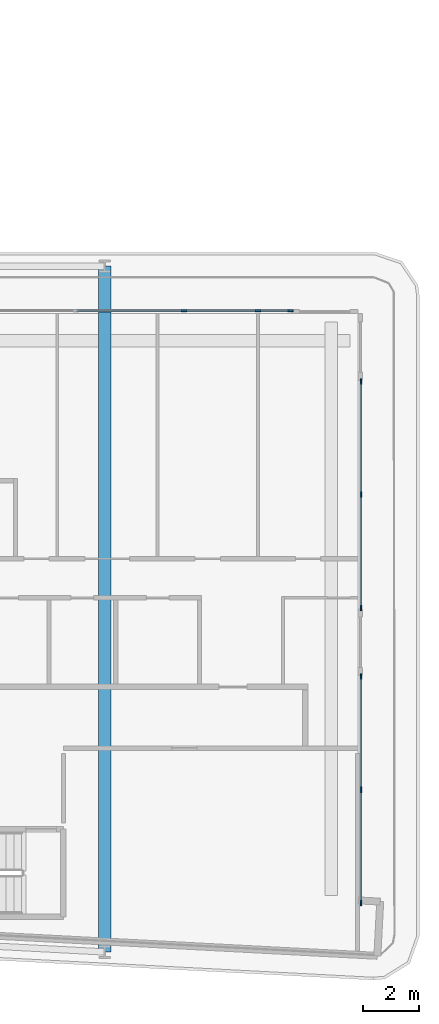
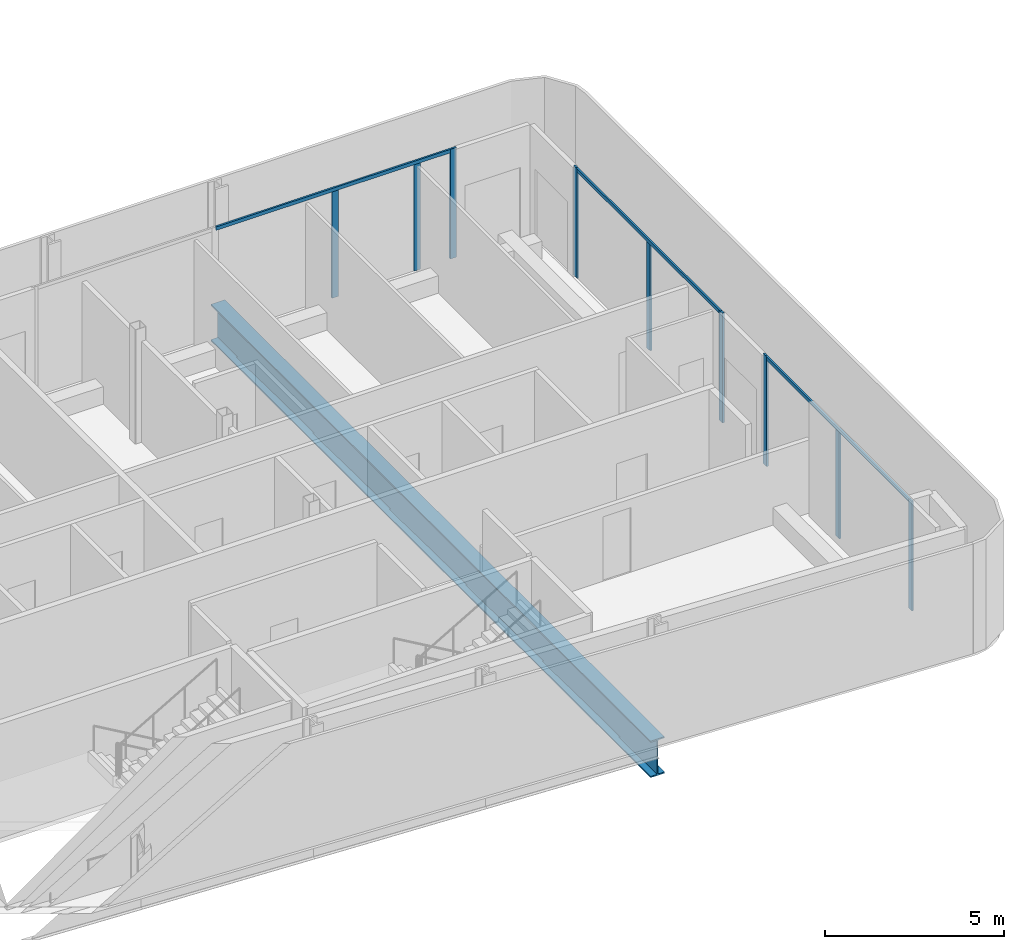
# One storey, part 8 of 29: 12 members, 1 beam, 3 elements without a shape of their own.
"""IFC4 building model written with IfcOpenShell, lengths in metres."""

from ifc_helpers import new_model, si_unit, direction, frame, origin, origin_2d, place, context, subcontext, project, spatial, rectangle, i_section, extrude, material, layer, layer_set, material_profile, profile_set, type_object, element, aggregate, save


model = new_model("IFC4")

# Units and contexts
model_context = context("Model", 3, precision=1e-05, world=origin(), true_north=direction((0.0, 1.0)))
body_context = subcontext(model_context, "Body", "Model", "MODEL_VIEW")
ifc_project = project(units=[si_unit("LENGTHUNIT", "METRE"), si_unit("AREAUNIT", "SQUARE_METRE"), si_unit("VOLUMEUNIT", "CUBIC_METRE"), si_unit("PLANEANGLEUNIT", "RADIAN"), si_unit("MASSUNIT", "GRAM", prefix="KILO")], contexts=[model_context])

# Site, building, storey
site_placement = place(None, origin())
site = spatial("IfcSite", under=ifc_project, at=site_placement, CompositionType="ELEMENT")
building_placement = place(site_placement, origin())
building = spatial("IfcBuilding", under=site, at=building_placement, Name="Kheshtan School and Residences Tower", CompositionType="ELEMENT")
storey_placement = place(building_placement, frame((0.0, 0.0, 121.39990234375)))
storey = spatial("IfcBuildingStorey", under=building, at=storey_placement, Name="L28", CompositionType="ELEMENT", Elevation=121.39990234375)

# Curtain wall, members
ifc_material_1 = material(Name="Clear low-e glass in thermally broken aluminium frame", Category="aluminium")
ifc_layer = layer(ifc_material_1, 0.199951171875)
ifc_layer_set = layer_set([ifc_layer], Name="Curtain wall CW-L")
curtain_wall_type = type_object("IfcCurtainWallType", Name="Curtain wall CW-L", PredefinedType="NOTDEFINED", material=ifc_layer_set)
curtain_wall_1_placement = place(storey_placement, origin())
curtain_wall_1 = element("IfcCurtainWall", 1, at=curtain_wall_1_placement, inside=storey, type_object=curtain_wall_type, Name="Curtain wall CWL12k", PredefinedType="NOTDEFINED")
ifc_material_2 = material(Name="Thermally broken aluminium, dark bronze anodised", Category="aluminium")
ifc_material_profile_1 = material_profile(ifc_material_2, rectangle(XDim=0.06005859375, YDim=0.199951171875, at=origin_2d()), Name="CW-L mullion 60x200")
ifc_profile_set_1 = profile_set([ifc_material_profile_1], Name="Thermally broken aluminium, dark bronze anodised")
member_type_1 = type_object("IfcMemberType", Name="CW-L mullion 60x200", PredefinedType="MULLION", material=ifc_profile_set_1)
member_1_placement = place(storey_placement, frame((93.653076171875, 44.0, 0.0), z_axis=(0.0, 0.0, 1.0), x_axis=(0.0, 1.0, 0.0)))
member_1 = element("IfcMember", 2, at=member_1_placement, type_object=member_type_1, Name="CWL12k mullion 2", PredefinedType="MULLION", context=body_context, shape_type="SweptSolid", body=[
    extrude(rectangle(XDim=0.06005859375, YDim=0.199951171875, at=origin_2d()), origin(), (0.0, 0.0, 1.0), 3.630126953125),
])
member_2_placement = place(storey_placement, frame((96.300048828125, 44.0, 0.0), z_axis=(0.0, 0.0, 1.0), x_axis=(0.0, 1.0, 0.0)))
member_2 = element("IfcMember", 3, at=member_2_placement, type_object=member_type_1, Name="CWL12k mullion 3", PredefinedType="MULLION", context=body_context, shape_type="SweptSolid", body=[
    extrude(rectangle(XDim=0.06005859375, YDim=0.199951171875, at=origin_2d()), origin(), (0.0, 0.0, 1.0), 3.630126953125),
])
member_3_placement = place(storey_placement, frame((97.469970703125, 44.0, 0.0), z_axis=(0.0, 0.0, 1.0), x_axis=(0.0, 1.0, 0.0)))
member_3 = element("IfcMember", 4, at=member_3_placement, type_object=member_type_1, Name="CWL12k mullion 4", PredefinedType="MULLION", context=body_context, shape_type="SweptSolid", body=[
    extrude(rectangle(XDim=0.06005859375, YDim=0.199951171875, at=origin_2d()), origin(), (0.0, 0.0, 1.0), 3.75),
])

curtain_wall_2_placement = place(storey_placement, origin())
curtain_wall_2 = element("IfcCurtainWall", 5, at=curtain_wall_2_placement, inside=storey, type_object=curtain_wall_type, Name="Curtain wall CWL13b", PredefinedType="NOTDEFINED")
member_4_placement = place(storey_placement, frame((100.0, 41.469970703125, 0.0), z_axis=(0.0, 0.0, 1.0), x_axis=(1.0, 0.0, 0.0)))
member_4 = element("IfcMember", 6, at=member_4_placement, type_object=member_type_1, Name="CWL13b mullion 1", PredefinedType="MULLION", context=body_context, shape_type="SweptSolid", body=[
    extrude(rectangle(XDim=0.06005859375, YDim=0.199951171875, at=origin_2d()), origin(), (0.0, 0.0, 1.0), 3.75),
])
member_5_placement = place(storey_placement, frame((100.0, 37.403564453125, 0.0), z_axis=(0.0, 0.0, 1.0), x_axis=(1.0, 0.0, 0.0)))
member_5 = element("IfcMember", 7, at=member_5_placement, type_object=member_type_1, Name="CWL13b mullion 2", PredefinedType="MULLION", context=body_context, shape_type="SweptSolid", body=[
    extrude(rectangle(XDim=0.06005859375, YDim=0.199951171875, at=origin_2d()), origin(), (0.0, 0.0, 1.0), 3.630126953125),
])
member_6_placement = place(storey_placement, frame((100.0, 33.3369140625, 0.0), z_axis=(0.0, 0.0, 1.0), x_axis=(1.0, 0.0, 0.0)))
member_6 = element("IfcMember", 8, at=member_6_placement, type_object=member_type_1, Name="CWL13b mullion 3", PredefinedType="MULLION", context=body_context, shape_type="SweptSolid", body=[
    extrude(rectangle(XDim=0.06005859375, YDim=0.199951171875, at=origin_2d()), origin(), (0.0, 0.0, 1.0), 3.75),
])

curtain_wall_3_placement = place(storey_placement, origin())
curtain_wall_3 = element("IfcCurtainWall", 9, at=curtain_wall_3_placement, inside=storey, type_object=curtain_wall_type, Name="Curtain wall CWL13b", PredefinedType="NOTDEFINED")
member_7_placement = place(storey_placement, frame((100.0, 30.876953125, 0.0), z_axis=(0.0, 0.0, 1.0), x_axis=(1.0, 0.0, 0.0)))
member_7 = element("IfcMember", 10, at=member_7_placement, type_object=member_type_1, Name="CWL13b mullion 1", PredefinedType="MULLION", context=body_context, shape_type="SweptSolid", body=[
    extrude(rectangle(XDim=0.06005859375, YDim=0.199951171875, at=origin_2d()), origin(), (0.0, 0.0, 1.0), 3.75),
])
member_8_placement = place(storey_placement, frame((100.0, 26.810546875, 0.0), z_axis=(0.0, 0.0, 1.0), x_axis=(1.0, 0.0, 0.0)))
member_8 = element("IfcMember", 11, at=member_8_placement, type_object=member_type_1, Name="CWL13b mullion 2", PredefinedType="MULLION", context=body_context, shape_type="SweptSolid", body=[
    extrude(rectangle(XDim=0.06005859375, YDim=0.199951171875, at=origin_2d()), origin(), (0.0, 0.0, 1.0), 3.630126953125),
])
member_9_placement = place(storey_placement, frame((100.0, 22.743896484375, 0.0), z_axis=(0.0, 0.0, 1.0), x_axis=(1.0, 0.0, 0.0)))
member_9 = element("IfcMember", 12, at=member_9_placement, type_object=member_type_1, Name="CWL13b mullion 3", PredefinedType="MULLION", context=body_context, shape_type="SweptSolid", body=[
    extrude(rectangle(XDim=0.06005859375, YDim=0.199951171875, at=origin_2d()), origin(), (0.0, 0.0, 1.0), 3.75),
])

# Member
ifc_material_profile_2 = material_profile(ifc_material_2, rectangle(XDim=0.06005859375, YDim=0.1201171875, at=origin_2d()), Name="CW-L transom 60x120")
ifc_profile_set_2 = profile_set([ifc_material_profile_2], Name="Thermally broken aluminium, dark bronze anodised")
member_type_2 = type_object("IfcMemberType", Name="CW-L transom 60x120", PredefinedType="USERDEFINED", material=ifc_profile_set_2)
member_10_placement = place(storey_placement, frame((89.805908203125, 44.0, 3.690185546875), z_axis=(1.0, 0.0, 0.0), x_axis=(0.0, 1.0, 0.0)))
member_10 = element("IfcMember", 13, at=member_10_placement, type_object=member_type_2, Name="CWL12k transom 1", ObjectType="TRANSOM", PredefinedType="USERDEFINED", context=body_context, shape_type="SweptSolid", body=[
    extrude(rectangle(XDim=0.06005859375, YDim=0.1201171875, at=origin_2d()), origin(), (0.0, 0.0, 1.0), 7.634033203125),
])

aggregate(curtain_wall_1, [member_1, member_2, member_3, member_10])

member_11_placement = place(storey_placement, frame((100.0, 41.43994140625, 3.690185546875), z_axis=(0.0, -1.0, 0.0), x_axis=(1.0, 0.0, 0.0)))
member_11 = element("IfcMember", 14, at=member_11_placement, type_object=member_type_2, Name="CWL13b transom 1", ObjectType="TRANSOM", PredefinedType="USERDEFINED", context=body_context, shape_type="SweptSolid", body=[
    extrude(rectangle(XDim=0.06005859375, YDim=0.1201171875, at=origin_2d()), origin(), (0.0, 0.0, 1.0), 8.072998046875),
])

aggregate(curtain_wall_2, [member_4, member_5, member_6, member_11])

member_12_placement = place(storey_placement, frame((100.0, 30.846923828125, 3.690185546875), z_axis=(0.0, -1.0, 0.0), x_axis=(1.0, 0.0, 0.0)))
member_12 = element("IfcMember", 15, at=member_12_placement, type_object=member_type_2, Name="CWL13b transom 1", ObjectType="TRANSOM", PredefinedType="USERDEFINED", context=body_context, shape_type="SweptSolid", body=[
    extrude(rectangle(XDim=0.06005859375, YDim=0.1201171875, at=origin_2d()), origin(), (0.0, 0.0, 1.0), 8.072998046875),
])

aggregate(curtain_wall_3, [member_7, member_8, member_9, member_12])

# Beam
ifc_material_3 = material(Name="Steel ASTM A992 Grade 50", Category="steel")
ifc_material_profile_3 = material_profile(ifc_material_3, i_section(OverallWidth=0.449951171875, OverallDepth=1.25, WebThickness=0.02490234375, FlangeThickness=0.044921875, FilletRadius=0.03759765625, at=origin_2d()), Name="WWF1250x546")
ifc_profile_set_3 = profile_set([ifc_material_profile_3], Name="Steel ASTM A992 Grade 50")
beam_type = type_object("IfcBeamType", Name="Transfer girder TG4 WWF1250x546 ASTM A992 Grade 50", PredefinedType="BEAM", material=ifc_profile_set_3)
beam_placement = place(storey_placement, frame((90.800048828125, 45.60009765625, -0.77490234375), z_axis=(0.0, -1.0, 0.0), x_axis=(1.0, 0.0, 0.0)))
element("IfcBeam", 16, at=beam_placement, inside=storey, type_object=beam_type, Name="Transfer girder C068-C006", PredefinedType="BEAM", context=body_context, shape_type="SweptSolid", body=[
    extrude(i_section(OverallWidth=0.449951171875, OverallDepth=1.25, WebThickness=0.02490234375, FlangeThickness=0.044921875, FilletRadius=0.03759765625, at=origin_2d()), origin(), (0.0, 0.0, 1.0), 24.610107421875),
])

save(model, "model.ifc")
